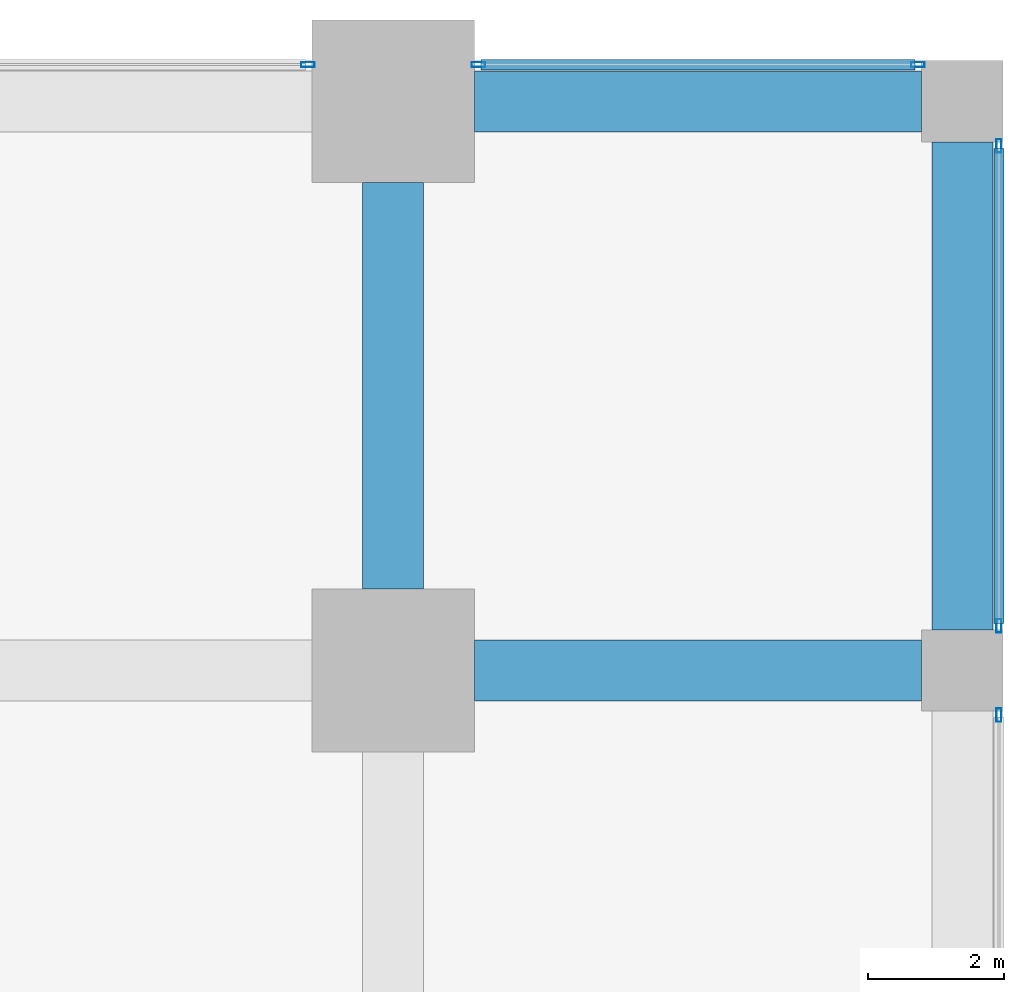
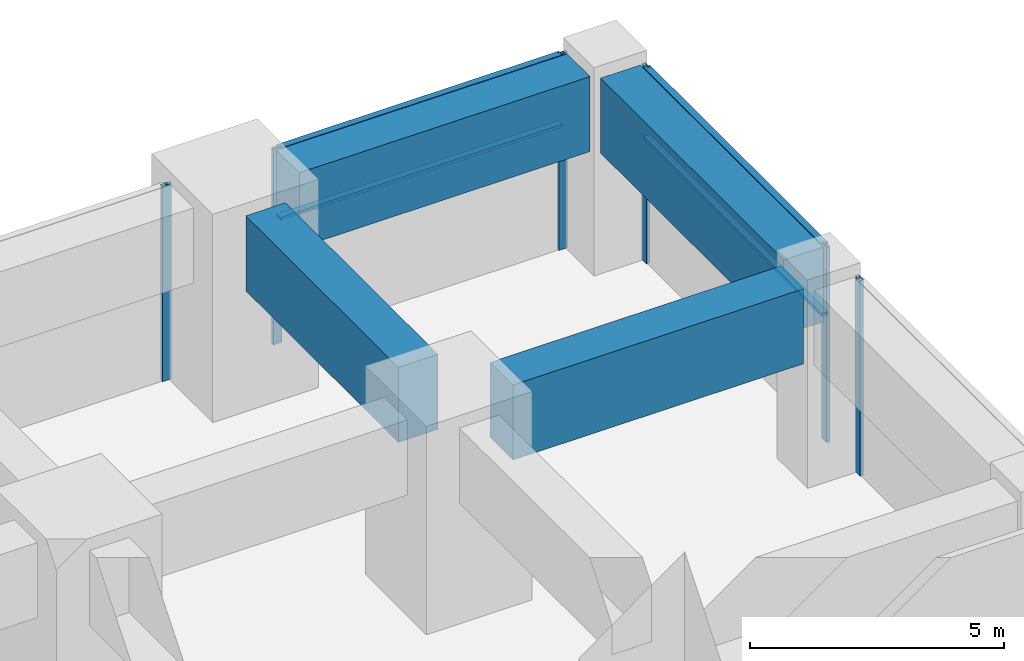
# One storey, part 33 of 49: 10 members, 4 beams, 4 elements without a shape of their own.
"""IFC4 building model written with IfcOpenShell, lengths in metres."""

from ifc_helpers import new_model, si_unit, direction, frame, origin, origin_2d, place, context, subcontext, project, spatial, rectangle, hollow_rectangle, extrude, material, material_profile, profile_set, type_object, element, aggregate, save


model = new_model("IFC4")

# Units and contexts
model_context = context("Model", 3, precision=1e-05, world=origin(), true_north=direction((0.0, 1.0)))
body_context = subcontext(model_context, "Body", "Model", "MODEL_VIEW")
ifc_project = project(units=[si_unit("LENGTHUNIT", "METRE"), si_unit("AREAUNIT", "SQUARE_METRE"), si_unit("VOLUMEUNIT", "CUBIC_METRE"), si_unit("PLANEANGLEUNIT", "RADIAN"), si_unit("MASSUNIT", "GRAM", prefix="KILO")], contexts=[model_context])

# Site, building, storey
site_placement = place(None, origin())
site = spatial("IfcSite", under=ifc_project, at=site_placement, CompositionType="ELEMENT")
building_placement = place(site_placement, origin())
building = spatial("IfcBuilding", under=site, at=building_placement, Name="Rekha Terrace Tower", CompositionType="ELEMENT")
storey_placement = place(building_placement, frame((0.0, 0.0, 10.39990234375)))
storey = spatial("IfcBuildingStorey", under=building, at=storey_placement, Name="L02", CompositionType="ELEMENT", Elevation=10.39990234375)

# Curtain wall, member
ifc_material_1 = material(Name="Aluminium framing", Category="aluminium")
curtain_wall_type = type_object("IfcCurtainWallType", Name="CW4 podium shopfront glazing", PredefinedType="USERDEFINED", material=ifc_material_1)
curtain_wall_1_placement = place(storey_placement, origin())
curtain_wall_1 = element("IfcCurtainWall", 1, at=curtain_wall_1_placement, inside=storey, type_object=curtain_wall_type, Name="CW4 shopfront curtain wall", ObjectType="SHOPFRONT CURTAIN WALL", PredefinedType="USERDEFINED")
ifc_material_2 = material(Name="Aluminium mullion section", Category="aluminium")
ifc_material_profile_1 = material_profile(ifc_material_2, hollow_rectangle(XDim=0.074951171875, YDim=0.199951171875, WallThickness=0.00390625, at=origin_2d()), Name="AL RHS 75x200")
ifc_profile_set_1 = profile_set([ifc_material_profile_1], Name="Aluminium mullion section")
member_type_1 = type_object("IfcMemberType", Name="CW4 mullion RHS 75 x 200", PredefinedType="MULLION", material=ifc_profile_set_1)
member_1_placement = place(storey_placement, frame((76.139892578125, 49.742431640625, 0.0), z_axis=(0.0, 0.0, 1.0), x_axis=(-1.0, 0.0, 0.0)))
member_1 = element("IfcMember", 2, at=member_1_placement, type_object=member_type_1, Name="CW4 mullion 2", PredefinedType="MULLION", context=body_context, shape_type="SweptSolid", body=[
    extrude(hollow_rectangle(XDim=0.074951171875, YDim=0.199951171875, WallThickness=0.00390625, at=origin_2d()), origin(), (0.0, 0.0, 1.0), 4.7001953125),
])
aggregate(curtain_wall_1, [member_1])

# Curtain wall, members
curtain_wall_2_placement = place(storey_placement, origin())
curtain_wall_2 = element("IfcCurtainWall", 3, at=curtain_wall_2_placement, inside=storey, type_object=curtain_wall_type, Name="CW4 shopfront curtain wall", ObjectType="SHOPFRONT CURTAIN WALL", PredefinedType="USERDEFINED")
member_2_placement = place(storey_placement, frame((76.139892578125, 51.0576171875, 0.0), z_axis=(0.0, 0.0, 1.0), x_axis=(-1.0, 0.0, 0.0)))
member_2 = element("IfcMember", 4, at=member_2_placement, type_object=member_type_1, Name="CW4 mullion 1", PredefinedType="MULLION", context=body_context, shape_type="SweptSolid", body=[
    extrude(hollow_rectangle(XDim=0.074951171875, YDim=0.199951171875, WallThickness=0.00390625, at=origin_2d()), origin(), (0.0, 0.0, 1.0), 4.7001953125),
])
member_3_placement = place(storey_placement, frame((76.139892578125, 58.142578125, 0.0), z_axis=(0.0, 0.0, 1.0), x_axis=(-1.0, 0.0, 0.0)))
member_3 = element("IfcMember", 5, at=member_3_placement, type_object=member_type_1, Name="CW4 mullion 2", PredefinedType="MULLION", context=body_context, shape_type="SweptSolid", body=[
    extrude(hollow_rectangle(XDim=0.074951171875, YDim=0.199951171875, WallThickness=0.00390625, at=origin_2d()), origin(), (0.0, 0.0, 1.0), 4.7001953125),
])

curtain_wall_3_placement = place(storey_placement, origin())
curtain_wall_3 = element("IfcCurtainWall", 6, at=curtain_wall_3_placement, inside=storey, type_object=curtain_wall_type, Name="CW4 shopfront curtain wall", ObjectType="SHOPFRONT CURTAIN WALL", PredefinedType="USERDEFINED")
member_4_placement = place(storey_placement, frame((74.9423828125, 59.340087890625, 0.0), z_axis=(0.0, 0.0, 1.0), x_axis=(0.0, -1.0, 0.0)))
member_4 = element("IfcMember", 7, at=member_4_placement, type_object=member_type_1, Name="CW4 mullion 1", PredefinedType="MULLION", context=body_context, shape_type="SweptSolid", body=[
    extrude(hollow_rectangle(XDim=0.074951171875, YDim=0.199951171875, WallThickness=0.00390625, at=origin_2d()), origin(), (0.0, 0.0, 1.0), 4.7001953125),
])
member_5_placement = place(storey_placement, frame((68.45751953125, 59.340087890625, 0.0), z_axis=(0.0, 0.0, 1.0), x_axis=(0.0, -1.0, 0.0)))
member_5 = element("IfcMember", 8, at=member_5_placement, type_object=member_type_1, Name="CW4 mullion 2", PredefinedType="MULLION", context=body_context, shape_type="SweptSolid", body=[
    extrude(hollow_rectangle(XDim=0.074951171875, YDim=0.199951171875, WallThickness=0.00390625, at=origin_2d()), origin(), (0.0, 0.0, 1.0), 4.7001953125),
])

# Curtain wall, member
curtain_wall_4_placement = place(storey_placement, origin())
curtain_wall_4 = element("IfcCurtainWall", 9, at=curtain_wall_4_placement, inside=storey, type_object=curtain_wall_type, Name="CW4 shopfront curtain wall", ObjectType="SHOPFRONT CURTAIN WALL", PredefinedType="USERDEFINED")
member_6_placement = place(storey_placement, frame((65.9423828125, 59.340087890625, 0.0), z_axis=(0.0, 0.0, 1.0), x_axis=(0.0, -1.0, 0.0)))
member_6 = element("IfcMember", 10, at=member_6_placement, type_object=member_type_1, Name="CW4 mullion 1", PredefinedType="MULLION", context=body_context, shape_type="SweptSolid", body=[
    extrude(hollow_rectangle(XDim=0.074951171875, YDim=0.199951171875, WallThickness=0.00390625, at=origin_2d()), origin(), (0.0, 0.0, 1.0), 4.7001953125),
])
aggregate(curtain_wall_4, [member_6])

# Member
ifc_material_3 = material(Name="Aluminium transom section", Category="aluminium")
ifc_material_profile_2 = material_profile(ifc_material_3, hollow_rectangle(XDim=0.14990234375, YDim=0.074951171875, WallThickness=0.0029296875, at=origin_2d()), Name="AL RHS 150x75")
ifc_profile_set_2 = profile_set([ifc_material_profile_2], Name="Aluminium transom section")
member_type_2 = type_object("IfcMemberType", Name="CW4 transom RHS 75 x 150", PredefinedType="USERDEFINED", material=ifc_profile_set_2)
member_7_placement = place(storey_placement, frame((76.139892578125, 51.094970703125, 3.0), z_axis=(0.0, 1.0, 0.0), x_axis=(-1.0, 0.0, 0.0)))
member_7 = element("IfcMember", 11, at=member_7_placement, type_object=member_type_2, Name="CW4 transom 1.2", ObjectType="TRANSOM", PredefinedType="USERDEFINED", context=body_context, shape_type="SweptSolid", body=[
    extrude(hollow_rectangle(XDim=0.14990234375, YDim=0.074951171875, WallThickness=0.0029296875, at=origin_2d()), origin(), (0.0, 0.0, 1.0), 7.010009765625),
])

member_8_placement = place(storey_placement, frame((76.139892578125, 51.094970703125, 4.66259765625), z_axis=(0.0, 1.0, 0.0), x_axis=(-1.0, 0.0, 0.0)))
member_8 = element("IfcMember", 12, at=member_8_placement, type_object=member_type_2, Name="CW4 transom 1.3", ObjectType="TRANSOM", PredefinedType="USERDEFINED", context=body_context, shape_type="SweptSolid", body=[
    extrude(hollow_rectangle(XDim=0.14990234375, YDim=0.074951171875, WallThickness=0.0029296875, at=origin_2d()), origin(), (0.0, 0.0, 1.0), 7.010009765625),
])

aggregate(curtain_wall_2, [member_2, member_3, member_7, member_8])

member_9_placement = place(storey_placement, frame((74.905029296875, 59.340087890625, 3.0), z_axis=(-1.0, 0.0, 0.0), x_axis=(0.0, -1.0, 0.0)))
member_9 = element("IfcMember", 13, at=member_9_placement, type_object=member_type_2, Name="CW4 transom 1.2", ObjectType="TRANSOM", PredefinedType="USERDEFINED", context=body_context, shape_type="SweptSolid", body=[
    extrude(hollow_rectangle(XDim=0.14990234375, YDim=0.074951171875, WallThickness=0.0029296875, at=origin_2d()), origin(), (0.0, 0.0, 1.0), 6.409912109375),
])

member_10_placement = place(storey_placement, frame((74.905029296875, 59.340087890625, 4.66259765625), z_axis=(-1.0, 0.0, 0.0), x_axis=(0.0, -1.0, 0.0)))
member_10 = element("IfcMember", 14, at=member_10_placement, type_object=member_type_2, Name="CW4 transom 1.3", ObjectType="TRANSOM", PredefinedType="USERDEFINED", context=body_context, shape_type="SweptSolid", body=[
    extrude(hollow_rectangle(XDim=0.14990234375, YDim=0.074951171875, WallThickness=0.0029296875, at=origin_2d()), origin(), (0.0, 0.0, 1.0), 6.409912109375),
])

aggregate(curtain_wall_3, [member_4, member_5, member_9, member_10])

# Beams
ifc_material_4 = material(Name="Concrete M60", Category="concrete")
ifc_material_profile_3 = material_profile(ifc_material_4, rectangle(XDim=0.89990234375, YDim=1.800048828125, at=origin_2d()), Name="RC 900x1800")
ifc_profile_set_3 = profile_set([ifc_material_profile_3], Name="Concrete M60")
beam_type = type_object("IfcBeamType", Name="G1 900x1800 podium floor beam", PredefinedType="BEAM", material=ifc_profile_set_3)
beam_1_placement = place(storey_placement, frame((68.39990234375, 50.39990234375, 3.800048828125), z_axis=(1.0, 0.0, 0.0), x_axis=(0.0, 1.0, 0.0)))
element("IfcBeam", 15, at=beam_1_placement, inside=storey, type_object=beam_type, Name="Beam G1 9G-10G under L03", PredefinedType="BEAM", context=body_context, shape_type="SweptSolid", body=[
    extrude(rectangle(XDim=0.89990234375, YDim=1.800048828125, at=origin_2d()), origin(), (0.0, 0.0, 1.0), 6.60009765625),
])
beam_2_placement = place(storey_placement, frame((67.199951171875, 51.60009765625, 3.800048828125), z_axis=(0.0, 1.0, 0.0), x_axis=(-1.0, 0.0, 0.0)))
element("IfcBeam", 16, at=beam_2_placement, inside=storey, type_object=beam_type, Name="Beam G1 9G-9H under L03", PredefinedType="BEAM", context=body_context, shape_type="SweptSolid", body=[
    extrude(rectangle(XDim=0.89990234375, YDim=1.800048828125, at=origin_2d()), origin(), (0.0, 0.0, 1.0), 6.0),
])
beam_3_placement = place(storey_placement, frame((68.39990234375, 58.800048828125, 3.800048828125), z_axis=(1.0, 0.0, 0.0), x_axis=(0.0, 1.0, 0.0)))
element("IfcBeam", 17, at=beam_3_placement, inside=storey, type_object=beam_type, Name="Beam G1 9H-10H under L03", PredefinedType="BEAM", context=body_context, shape_type="SweptSolid", body=[
    extrude(rectangle(XDim=0.89990234375, YDim=1.800048828125, at=origin_2d()), origin(), (0.0, 0.0, 1.0), 6.60009765625),
])
beam_4_placement = place(storey_placement, frame((75.60009765625, 51.0, 3.800048828125), z_axis=(0.0, 1.0, 0.0), x_axis=(-1.0, 0.0, 0.0)))
element("IfcBeam", 18, at=beam_4_placement, inside=storey, type_object=beam_type, Name="Beam G1 10G-10H under L03", PredefinedType="BEAM", context=body_context, shape_type="SweptSolid", body=[
    extrude(rectangle(XDim=0.89990234375, YDim=1.800048828125, at=origin_2d()), origin(), (0.0, 0.0, 1.0), 7.199951171875),
])

save(model, "model.ifc")
